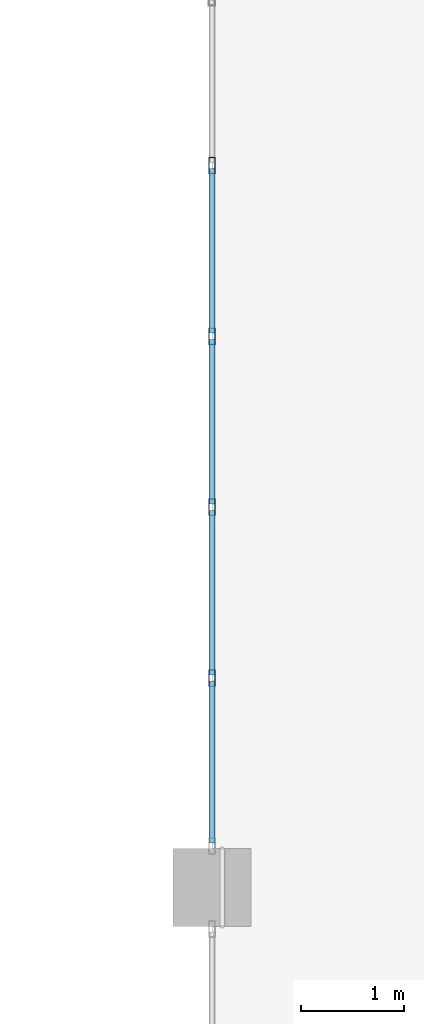
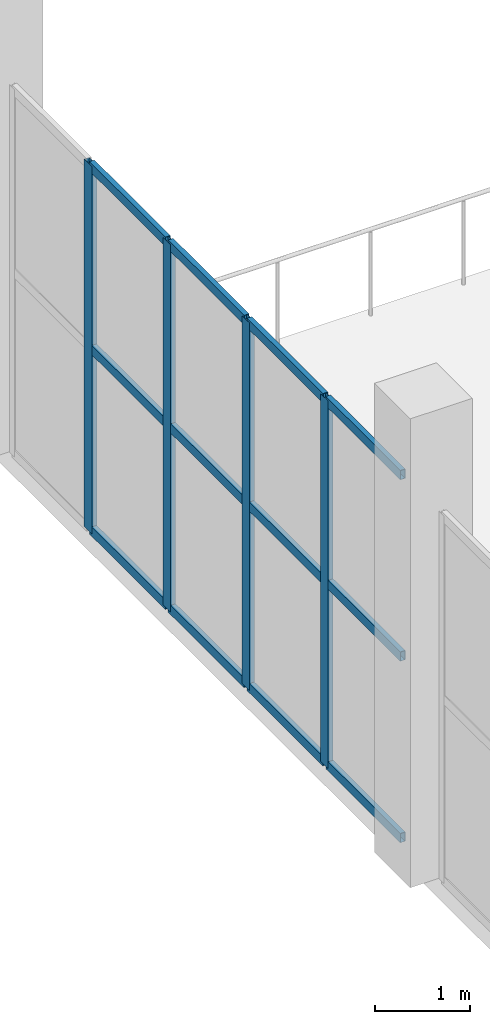
# One storey, part 109 of 223: 16 members, 1 element without a shape of its own.
"""IFC4 building model written with IfcOpenShell, lengths in metres."""

from ifc_helpers import new_model, si_unit, direction, frame, origin, origin_2d, place, context, subcontext, project, spatial, hollow_rectangle, extrude, material, layer, layer_set, material_profile, profile_set, type_object, element, aggregate, save


model = new_model("IFC4")

# Units and contexts
model_context = context("Model", 3, precision=1e-05, world=origin(), true_north=direction((0.0, 1.0)))
body_context = subcontext(model_context, "Body", "Model", "MODEL_VIEW")
ifc_project = project(units=[si_unit("LENGTHUNIT", "METRE"), si_unit("AREAUNIT", "SQUARE_METRE"), si_unit("VOLUMEUNIT", "CUBIC_METRE"), si_unit("PLANEANGLEUNIT", "RADIAN"), si_unit("MASSUNIT", "GRAM", prefix="KILO")], contexts=[model_context])

# Site, building, storey
site_placement = place(None, origin())
site = spatial("IfcSite", under=ifc_project, at=site_placement, CompositionType="ELEMENT")
building_placement = place(site_placement, origin())
building = spatial("IfcBuilding", under=site, at=building_placement, Name="Dornveld Trade and Exhibition Forum", CompositionType="ELEMENT")
storey_placement = place(building_placement, frame((0.0, 0.0, 6.0)))
storey = spatial("IfcBuildingStorey", under=building, at=storey_placement, Name="L01", CompositionType="ELEMENT", Elevation=6.0)

# Curtain wall, members
ifc_material_1 = material(Name="Dark-bronze anodised aluminium and low-E glass", Category="aluminium")
ifc_layer = layer(ifc_material_1, 0.1630859375)
ifc_layer_set = layer_set([ifc_layer], Name="Dark-bronze anodised aluminium and low-E glass")
curtain_wall_type = type_object("IfcCurtainWallType", Name="CW-SYS-07", PredefinedType="USERDEFINED", material=ifc_layer_set)
curtain_wall_placement = place(storey_placement, origin())
curtain_wall = element("IfcCurtainWall", 1, at=curtain_wall_placement, inside=storey, type_object=curtain_wall_type, Name="L01 unitised curtain wall 151", ObjectType="UNITISED_CURTAIN_WALL", PredefinedType="USERDEFINED")
ifc_material_2 = material(Name="Dark-bronze anodised aluminium", Category="aluminium")
ifc_material_profile_1 = material_profile(ifc_material_2, hollow_rectangle(XDim=0.06005859375, YDim=0.159912109375, WallThickness=0.00390625, at=origin_2d()), Name="RHS 160x60x4")
ifc_profile_set_1 = profile_set([ifc_material_profile_1], Name="Dark-bronze anodised aluminium")
member_type_1 = type_object("IfcMemberType", Name="CW-MUL-160", PredefinedType="MULLION", material=ifc_profile_set_1)
member_1_placement = place(storey_placement, frame((90.0, 159.977294921875, -0.00390625), z_axis=(0.0, 0.0, 1.0), x_axis=(1.0, 0.0, 0.0)))
member_1 = element("IfcMember", 2, at=member_1_placement, type_object=member_type_1, Name="CW-07 mullion 2", PredefinedType="MULLION", context=body_context, shape_type="SweptSolid", body=[
    extrude(hollow_rectangle(XDim=0.06005859375, YDim=0.159912109375, WallThickness=0.00390625, at=origin_2d()), origin(), (0.0, 0.0, 1.0), 4.703857421875),
])
member_2_placement = place(storey_placement, frame((90.0, 158.32568359375, -0.00390625), z_axis=(0.0, 0.0, 1.0), x_axis=(1.0, 0.0, 0.0)))
member_2 = element("IfcMember", 3, at=member_2_placement, type_object=member_type_1, Name="CW-07 mullion 3", PredefinedType="MULLION", context=body_context, shape_type="SweptSolid", body=[
    extrude(hollow_rectangle(XDim=0.06005859375, YDim=0.159912109375, WallThickness=0.00390625, at=origin_2d()), origin(), (0.0, 0.0, 1.0), 4.703857421875),
])
member_3_placement = place(storey_placement, frame((90.0, 156.67431640625, -0.00390625), z_axis=(0.0, 0.0, 1.0), x_axis=(1.0, 0.0, 0.0)))
member_3 = element("IfcMember", 4, at=member_3_placement, type_object=member_type_1, Name="CW-07 mullion 4", PredefinedType="MULLION", context=body_context, shape_type="SweptSolid", body=[
    extrude(hollow_rectangle(XDim=0.06005859375, YDim=0.159912109375, WallThickness=0.00390625, at=origin_2d()), origin(), (0.0, 0.0, 1.0), 4.703857421875),
])
member_4_placement = place(storey_placement, frame((90.0, 155.022705078125, -0.00390625), z_axis=(0.0, 0.0, 1.0), x_axis=(1.0, 0.0, 0.0)))
member_4 = element("IfcMember", 5, at=member_4_placement, type_object=member_type_1, Name="CW-07 mullion 5", PredefinedType="MULLION", context=body_context, shape_type="SweptSolid", body=[
    extrude(hollow_rectangle(XDim=0.06005859375, YDim=0.159912109375, WallThickness=0.00390625, at=origin_2d()), origin(), (0.0, 0.0, 1.0), 4.703857421875),
])
ifc_material_3 = material(Name="Dark-bronze anodised aluminium", Category="aluminium")
ifc_material_profile_2 = material_profile(ifc_material_3, hollow_rectangle(XDim=0.06005859375, YDim=0.1201171875, WallThickness=0.00390625, at=origin_2d()), Name="RHS 120x60x4")
ifc_profile_set_2 = profile_set([ifc_material_profile_2], Name="Dark-bronze anodised aluminium")
member_type_2 = type_object("IfcMemberType", Name="CW-TRN-120", PredefinedType="USERDEFINED", material=ifc_profile_set_2)
member_5_placement = place(storey_placement, frame((90.0, 159.947509765625, 0.02587890625), z_axis=(0.0, -1.0, 0.0), x_axis=(1.0, 0.0, 0.0)))
member_5 = element("IfcMember", 6, at=member_5_placement, type_object=member_type_2, Name="CW-07 transom 2.1", ObjectType="TRANSOM", PredefinedType="USERDEFINED", context=body_context, shape_type="SweptSolid", body=[
    extrude(hollow_rectangle(XDim=0.06005859375, YDim=0.1201171875, WallThickness=0.00390625, at=origin_2d()), origin(), (0.0, 0.0, 1.0), 1.591796875),
])
member_6_placement = place(storey_placement, frame((90.0, 159.947509765625, 2.347900390625), z_axis=(0.0, -1.0, 0.0), x_axis=(1.0, 0.0, 0.0)))
member_6 = element("IfcMember", 7, at=member_6_placement, type_object=member_type_2, Name="CW-07 transom 2.2", ObjectType="TRANSOM", PredefinedType="USERDEFINED", context=body_context, shape_type="SweptSolid", body=[
    extrude(hollow_rectangle(XDim=0.06005859375, YDim=0.1201171875, WallThickness=0.00390625, at=origin_2d()), origin(), (0.0, 0.0, 1.0), 1.591796875),
])
member_7_placement = place(storey_placement, frame((90.0, 159.947509765625, 4.669921875), z_axis=(0.0, -1.0, 0.0), x_axis=(1.0, 0.0, 0.0)))
member_7 = element("IfcMember", 8, at=member_7_placement, type_object=member_type_2, Name="CW-07 transom 2.3", ObjectType="TRANSOM", PredefinedType="USERDEFINED", context=body_context, shape_type="SweptSolid", body=[
    extrude(hollow_rectangle(XDim=0.06005859375, YDim=0.1201171875, WallThickness=0.00390625, at=origin_2d()), origin(), (0.0, 0.0, 1.0), 1.591796875),
])
member_8_placement = place(storey_placement, frame((90.0, 158.2958984375, 0.02587890625), z_axis=(0.0, -1.0, 0.0), x_axis=(1.0, 0.0, 0.0)))
member_8 = element("IfcMember", 9, at=member_8_placement, type_object=member_type_2, Name="CW-07 transom 3.1", ObjectType="TRANSOM", PredefinedType="USERDEFINED", context=body_context, shape_type="SweptSolid", body=[
    extrude(hollow_rectangle(XDim=0.06005859375, YDim=0.1201171875, WallThickness=0.00390625, at=origin_2d()), origin(), (0.0, 0.0, 1.0), 1.591796875),
])
member_9_placement = place(storey_placement, frame((90.0, 158.2958984375, 2.347900390625), z_axis=(0.0, -1.0, 0.0), x_axis=(1.0, 0.0, 0.0)))
member_9 = element("IfcMember", 10, at=member_9_placement, type_object=member_type_2, Name="CW-07 transom 3.2", ObjectType="TRANSOM", PredefinedType="USERDEFINED", context=body_context, shape_type="SweptSolid", body=[
    extrude(hollow_rectangle(XDim=0.06005859375, YDim=0.1201171875, WallThickness=0.00390625, at=origin_2d()), origin(), (0.0, 0.0, 1.0), 1.591796875),
])
member_10_placement = place(storey_placement, frame((90.0, 158.2958984375, 4.669921875), z_axis=(0.0, -1.0, 0.0), x_axis=(1.0, 0.0, 0.0)))
member_10 = element("IfcMember", 11, at=member_10_placement, type_object=member_type_2, Name="CW-07 transom 3.3", ObjectType="TRANSOM", PredefinedType="USERDEFINED", context=body_context, shape_type="SweptSolid", body=[
    extrude(hollow_rectangle(XDim=0.06005859375, YDim=0.1201171875, WallThickness=0.00390625, at=origin_2d()), origin(), (0.0, 0.0, 1.0), 1.591796875),
])
member_11_placement = place(storey_placement, frame((90.0, 156.644287109375, 0.02587890625), z_axis=(0.0, -1.0, 0.0), x_axis=(1.0, 0.0, 0.0)))
member_11 = element("IfcMember", 12, at=member_11_placement, type_object=member_type_2, Name="CW-07 transom 4.1", ObjectType="TRANSOM", PredefinedType="USERDEFINED", context=body_context, shape_type="SweptSolid", body=[
    extrude(hollow_rectangle(XDim=0.06005859375, YDim=0.1201171875, WallThickness=0.00390625, at=origin_2d()), origin(), (0.0, 0.0, 1.0), 1.591796875),
])
member_12_placement = place(storey_placement, frame((90.0, 156.644287109375, 2.347900390625), z_axis=(0.0, -1.0, 0.0), x_axis=(1.0, 0.0, 0.0)))
member_12 = element("IfcMember", 13, at=member_12_placement, type_object=member_type_2, Name="CW-07 transom 4.2", ObjectType="TRANSOM", PredefinedType="USERDEFINED", context=body_context, shape_type="SweptSolid", body=[
    extrude(hollow_rectangle(XDim=0.06005859375, YDim=0.1201171875, WallThickness=0.00390625, at=origin_2d()), origin(), (0.0, 0.0, 1.0), 1.591796875),
])
member_13_placement = place(storey_placement, frame((90.0, 156.644287109375, 4.669921875), z_axis=(0.0, -1.0, 0.0), x_axis=(1.0, 0.0, 0.0)))
member_13 = element("IfcMember", 14, at=member_13_placement, type_object=member_type_2, Name="CW-07 transom 4.3", ObjectType="TRANSOM", PredefinedType="USERDEFINED", context=body_context, shape_type="SweptSolid", body=[
    extrude(hollow_rectangle(XDim=0.06005859375, YDim=0.1201171875, WallThickness=0.00390625, at=origin_2d()), origin(), (0.0, 0.0, 1.0), 1.591796875),
])
member_14_placement = place(storey_placement, frame((90.0, 154.99267578125, 0.02587890625), z_axis=(0.0, -1.0, 0.0), x_axis=(1.0, 0.0, 0.0)))
member_14 = element("IfcMember", 15, at=member_14_placement, type_object=member_type_2, Name="CW-07 transom 5.1", ObjectType="TRANSOM", PredefinedType="USERDEFINED", context=body_context, shape_type="SweptSolid", body=[
    extrude(hollow_rectangle(XDim=0.06005859375, YDim=0.1201171875, WallThickness=0.00390625, at=origin_2d()), origin(), (0.0, 0.0, 1.0), 1.561767578125),
])
member_15_placement = place(storey_placement, frame((90.0, 154.99267578125, 2.347900390625), z_axis=(0.0, -1.0, 0.0), x_axis=(1.0, 0.0, 0.0)))
member_15 = element("IfcMember", 16, at=member_15_placement, type_object=member_type_2, Name="CW-07 transom 5.2", ObjectType="TRANSOM", PredefinedType="USERDEFINED", context=body_context, shape_type="SweptSolid", body=[
    extrude(hollow_rectangle(XDim=0.06005859375, YDim=0.1201171875, WallThickness=0.00390625, at=origin_2d()), origin(), (0.0, 0.0, 1.0), 1.561767578125),
])
member_16_placement = place(storey_placement, frame((90.0, 154.99267578125, 4.669921875), z_axis=(0.0, -1.0, 0.0), x_axis=(1.0, 0.0, 0.0)))
member_16 = element("IfcMember", 17, at=member_16_placement, type_object=member_type_2, Name="CW-07 transom 5.3", ObjectType="TRANSOM", PredefinedType="USERDEFINED", context=body_context, shape_type="SweptSolid", body=[
    extrude(hollow_rectangle(XDim=0.06005859375, YDim=0.1201171875, WallThickness=0.00390625, at=origin_2d()), origin(), (0.0, 0.0, 1.0), 1.561767578125),
])
aggregate(curtain_wall, [member_1, member_2, member_3, member_4, member_5, member_6, member_7, member_8, member_9, member_10, member_11, member_12, member_13, member_14, member_15, member_16])

save(model, "model.ifc")
